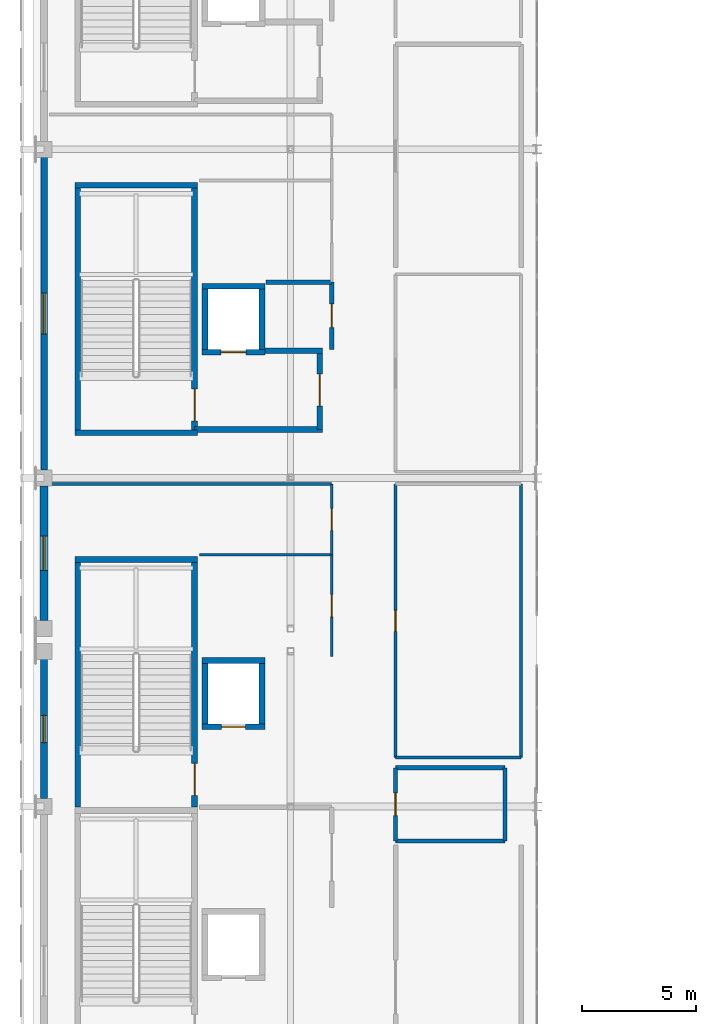
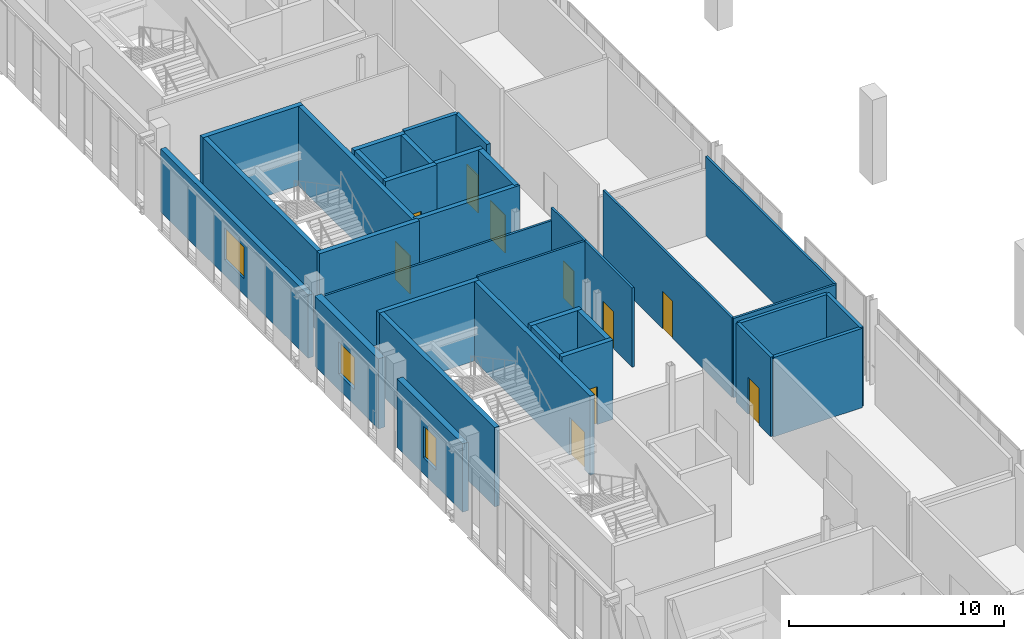
# One storey, part 33 of 51: 34 walls, 10 doors, 3 windows, 13 openings.
"""IFC4 building model written with IfcOpenShell, lengths in metres."""

from ifc_helpers import new_model, si_unit, direction, frame, frame_2d, origin, place, context, subcontext, project, spatial, rectangle, extrude, material, layer, layer_set, type_object, element, fill, save


model = new_model("IFC4")

# Units and contexts
model_context = context("Model", 3, precision=1e-05, world=origin(), true_north=direction((0.0, 1.0)))
body_context = subcontext(model_context, "Body", "Model", "MODEL_VIEW")
ifc_project = project(units=[si_unit("LENGTHUNIT", "METRE"), si_unit("AREAUNIT", "SQUARE_METRE"), si_unit("VOLUMEUNIT", "CUBIC_METRE"), si_unit("PLANEANGLEUNIT", "RADIAN"), si_unit("MASSUNIT", "GRAM", prefix="KILO")], contexts=[model_context])

# Site, building, storey
site_placement = place(None, origin())
site = spatial("IfcSite", under=ifc_project, at=site_placement, CompositionType="ELEMENT")
building_placement = place(site_placement, origin())
building = spatial("IfcBuilding", under=site, at=building_placement, Name="Koshinbarg Plaza Stadium", CompositionType="ELEMENT")
storey_placement = place(building_placement, frame((0.0, 0.0, 24.60009765625)))
storey = spatial("IfcBuildingStorey", under=building, at=storey_placement, Name="L05", CompositionType="ELEMENT", Elevation=24.60009765625)

# Walls
ifc_material_1 = material(Name="Concrete C40/50", Category="concrete")
ifc_layer_1 = layer(ifc_material_1, 0.25)
ifc_layer_set_1 = layer_set([ifc_layer_1], Name="Concrete C40/50")
wall_type_1 = type_object("IfcWallType", Name="WL-CORE-250", PredefinedType="SHEAR", material=ifc_layer_set_1)
wall_1_placement = place(storey_placement, frame((31.320068359375, 79.52490234375, 0.0), z_axis=(0.0, 0.0, 1.0), x_axis=(-1.0, 0.0, 0.0)))
element("IfcWall", 1, at=wall_1_placement, inside=storey, type_object=wall_type_1, Name="L05 core stair shear wall C04-far IWL-L05-0100", PredefinedType="SHEAR", context=body_context, shape_type="SweptSolid", body=[
    extrude(rectangle(XDim=5.3701171875, YDim=0.25, at=frame_2d((2.68505859375, 0.0))), origin(), (0.0, 0.0, 1.0), 4.5),
])
wall_2_placement = place(storey_placement, frame((26.074951171875, 68.675048828125, 0.0), z_axis=(0.0, 0.0, 1.0), x_axis=(0.0, 1.0, 0.0)))
element("IfcWall", 2, at=wall_2_placement, inside=storey, type_object=wall_type_1, Name="L05 core stair shear wall C04-left IWL-L05-0101", PredefinedType="SHEAR", context=body_context, shape_type="SweptSolid", body=[
    extrude(rectangle(XDim=10.849853515625, YDim=0.25, at=frame_2d((5.4248046875, 0.0))), origin(), (0.0, 0.0, 1.0), 4.5),
])

# Wall, opening, door
wall_3_placement = place(storey_placement, frame((31.195068359375, 68.675048828125, 0.0), z_axis=(0.0, 0.0, 1.0), x_axis=(0.0, 1.0, 0.0)))
wall_3 = element("IfcWall", 3, at=wall_3_placement, inside=storey, type_object=wall_type_1, Name="L05 core stair shear wall C04-right IWL-L05-0102", PredefinedType="SHEAR", context=body_context, shape_type="SweptSolid", body=[
    extrude(rectangle(XDim=10.849853515625, YDim=0.25, at=frame_2d((5.4248046875, 0.0))), origin(), (0.0, 0.0, 1.0), 4.5),
])
opening_1_placement = place(wall_3_placement, frame((0.52001953125, 0.0, 0.0)))
opening_1 = element("IfcOpeningElement", 4, at=opening_1_placement, cuts=wall_3, Name="Opening D-0087", PredefinedType="OPENING", context=body_context, shape_type="SweptSolid", body=[
    extrude(rectangle(XDim=1.39990234375, YDim=2.14990234375, at=frame_2d((0.699951171875, 1.074951171875))), frame((0.0, 0.135009765625, 0.0), z_axis=(0.0, -1.0, 0.0), x_axis=(1.0, 0.0, 0.0)), (0.0, 0.0, 1.0), 0.27001953125),
])
ifc_material_2 = material(Name="Painted galvanized steel fire door", Category="steel")
door_type_1 = type_object("IfcDoorType", Name="DR-STAIR-1400", OperationType="NOTDEFINED", PredefinedType="DOOR", material=ifc_material_2)
door_1_placement = place(opening_1_placement, origin())
door_1 = element("IfcDoor", 5, at=door_1_placement, inside=storey, type_object=door_type_1, Name="L05 exit stair door C04", OperationType="SINGLE_SWING_RIGHT", OverallHeight=2.14990234375, OverallWidth=1.39990234375, PredefinedType="DOOR", context=body_context, shape_type="SweptSolid", body=[
    extrude(rectangle(XDim=1.39990234375, YDim=2.14990234375, at=frame_2d((0.699951171875, 1.074951171875))), frame((0.0, 0.02490234375, 0.0), z_axis=(0.0, -1.0, 0.0), x_axis=(1.0, 0.0, 0.0)), (0.0, 0.0, 1.0), 0.050048828125),
])
fill(opening_1, door_1)

# Walls
for number, where, z_axis, x_axis, name in (
    (6, (25.949951171875, 85.074951171875, 0.0), (0.0, 0.0, 1.0), (1.0, 0.0, 0.0), "L05 core stair shear wall C05-near IWL-L05-0126"),
    (7, (31.320068359375, 95.925048828125, 0.0), (0.0, 0.0, 1.0), (-1.0, 0.0, 0.0), "L05 core stair shear wall C05-far IWL-L05-0127"),
):
    element("IfcWall", number, at=place(storey_placement, frame(where, z_axis=z_axis, x_axis=x_axis)), inside=storey, type_object=wall_type_1, Name=name, PredefinedType="SHEAR", context=body_context, shape_type="SweptSolid", body=[
        extrude(rectangle(XDim=5.3701171875, YDim=0.25, at=frame_2d((2.68505859375, 0.0))), origin(), (0.0, 0.0, 1.0), 4.5),
    ])
wall_4_placement = place(storey_placement, frame((26.074951171875, 85.074951171875, 0.0), z_axis=(0.0, 0.0, 1.0), x_axis=(0.0, 1.0, 0.0)))
element("IfcWall", 8, at=wall_4_placement, inside=storey, type_object=wall_type_1, Name="L05 core stair shear wall C05-left IWL-L05-0128", PredefinedType="SHEAR", context=body_context, shape_type="SweptSolid", body=[
    extrude(rectangle(XDim=10.85009765625, YDim=0.25, at=frame_2d((5.425048828125, 0.0))), origin(), (0.0, 0.0, 1.0), 4.5),
])

# Wall, opening, door
wall_5_placement = place(storey_placement, frame((31.195068359375, 85.074951171875, 0.0), z_axis=(0.0, 0.0, 1.0), x_axis=(0.0, 1.0, 0.0)))
wall_5 = element("IfcWall", 9, at=wall_5_placement, inside=storey, type_object=wall_type_1, Name="L05 core stair shear wall C05-right IWL-L05-0129", PredefinedType="SHEAR", context=body_context, shape_type="SweptSolid", body=[
    extrude(rectangle(XDim=10.85009765625, YDim=0.25, at=frame_2d((5.425048828125, 0.0))), origin(), (0.0, 0.0, 1.0), 4.5),
])
opening_2_placement = place(wall_5_placement, frame((0.52001953125, 0.0, 0.0)))
opening_2 = element("IfcOpeningElement", 10, at=opening_2_placement, cuts=wall_5, Name="Opening D-0094", PredefinedType="OPENING", context=body_context, shape_type="SweptSolid", body=[
    extrude(rectangle(XDim=1.39990234375, YDim=2.14990234375, at=frame_2d((0.699951171875, 1.074951171875))), frame((0.0, 0.135009765625, 0.0), z_axis=(0.0, -1.0, 0.0), x_axis=(1.0, 0.0, 0.0)), (0.0, 0.0, 1.0), 0.27001953125),
])
door_2_placement = place(opening_2_placement, origin())
door_2 = element("IfcDoor", 11, at=door_2_placement, inside=storey, type_object=door_type_1, Name="L05 exit stair door C05", OperationType="SINGLE_SWING_RIGHT", OverallHeight=2.14990234375, OverallWidth=1.39990234375, PredefinedType="DOOR", context=body_context, shape_type="SweptSolid", body=[
    extrude(rectangle(XDim=1.39990234375, YDim=2.14990234375, at=frame_2d((0.699951171875, 1.074951171875))), frame((0.0, 0.02490234375, 0.0), z_axis=(0.0, -1.0, 0.0), x_axis=(1.0, 0.0, 0.0)), (0.0, 0.0, 1.0), 0.050048828125),
])
fill(opening_2, door_2)

wall_6_placement = place(storey_placement, frame((31.52490234375, 72.199951171875, 0.0), z_axis=(0.0, 0.0, 1.0), x_axis=(1.0, 0.0, 0.0)))
wall_6 = element("IfcWall", 12, at=wall_6_placement, inside=storey, type_object=wall_type_1, Name="L05 lift shaft shear wall LP02-S IWL-L05-0756", PredefinedType="SHEAR", context=body_context, shape_type="SweptSolid", body=[
    extrude(rectangle(XDim=2.75, YDim=0.25, at=frame_2d((1.375, 0.0))), origin(), (0.0, 0.0, 1.0), 4.5),
])
opening_3_placement = place(wall_6_placement, frame((0.85009765625, 0.0, 0.0)))
opening_3 = element("IfcOpeningElement", 13, at=opening_3_placement, cuts=wall_6, Name="Opening D-0255", PredefinedType="OPENING", context=body_context, shape_type="SweptSolid", body=[
    extrude(rectangle(XDim=1.050048828125, YDim=2.14990234375, at=frame_2d((0.52490234375, 1.074951171875))), frame((0.0, 0.135009765625, 0.0), z_axis=(0.0, -1.0, 0.0), x_axis=(1.0, 0.0, 0.0)), (0.0, 0.0, 1.0), 0.27001953125),
])
ifc_material_3 = material(Name="Brushed stainless steel sliding lift landing door", Category="steel")
door_type_2 = type_object("IfcDoorType", Name="DR-LIFT-1050", OperationType="NOTDEFINED", PredefinedType="DOOR", material=ifc_material_3)
door_3_placement = place(opening_3_placement, origin())
door_3 = element("IfcDoor", 14, at=door_3_placement, inside=storey, type_object=door_type_2, Name="L05 lift landing door LP02", OperationType="SLIDING_TO_LEFT", OverallHeight=2.14990234375, OverallWidth=1.050048828125, PredefinedType="DOOR", context=body_context, shape_type="SweptSolid", body=[
    extrude(rectangle(XDim=1.050048828125, YDim=2.14990234375, at=frame_2d((0.52490234375, 1.074951171875))), frame((0.0, 0.02490234375, 0.0), z_axis=(0.0, -1.0, 0.0), x_axis=(1.0, 0.0, 0.0)), (0.0, 0.0, 1.0), 0.050048828125),
])
fill(opening_3, door_3)

# Walls
wall_7_placement = place(storey_placement, frame((34.27490234375, 75.10009765625, 0.0), z_axis=(0.0, 0.0, 1.0), x_axis=(-1.0, 0.0, 0.0)))
element("IfcWall", 15, at=wall_7_placement, inside=storey, type_object=wall_type_1, Name="L05 lift shaft shear wall LP02-N IWL-L05-0757", PredefinedType="SHEAR", context=body_context, shape_type="SweptSolid", body=[
    extrude(rectangle(XDim=2.75, YDim=0.25, at=frame_2d((1.375, 0.0))), origin(), (0.0, 0.0, 1.0), 4.5),
])
for number, where, z_axis, x_axis, name in (
    (16, (31.64990234375, 75.10009765625, 0.0), (0.0, 0.0, 1.0), (0.0, -1.0, 0.0), "L05 lift shaft shear wall LP02-W IWL-L05-0758"),
    (17, (34.14990234375, 72.199951171875, 0.0), (0.0, 0.0, 1.0), (0.0, 1.0, 0.0), "L05 lift shaft shear wall LP02-E IWL-L05-0759"),
):
    element("IfcWall", number, at=place(storey_placement, frame(where, z_axis=z_axis, x_axis=x_axis)), inside=storey, type_object=wall_type_1, Name=name, PredefinedType="SHEAR", context=body_context, shape_type="SweptSolid", body=[
        extrude(rectangle(XDim=2.900146484375, YDim=0.25, at=frame_2d((1.4501953125, 0.0))), origin(), (0.0, 0.0, 1.0), 4.5),
    ])

# Wall, opening, door
wall_8_placement = place(storey_placement, frame((31.52490234375, 88.60009765625, 0.0), z_axis=(0.0, 0.0, 1.0), x_axis=(1.0, 0.0, 0.0)))
wall_8 = element("IfcWall", 18, at=wall_8_placement, inside=storey, type_object=wall_type_1, Name="L05 lift shaft shear wall FL03-S IWL-L05-0799", PredefinedType="SHEAR", context=body_context, shape_type="SweptSolid", body=[
    extrude(rectangle(XDim=2.75, YDim=0.25, at=frame_2d((1.375, 0.0))), origin(), (0.0, 0.0, 1.0), 4.5),
])
opening_4_placement = place(wall_8_placement, frame((0.824951171875, 0.0, 0.0)))
opening_4 = element("IfcOpeningElement", 19, at=opening_4_placement, cuts=wall_8, Name="Opening D-0267", PredefinedType="OPENING", context=body_context, shape_type="SweptSolid", body=[
    extrude(rectangle(XDim=1.10009765625, YDim=2.14990234375, at=frame_2d((0.550048828125, 1.074951171875))), frame((0.0, 0.135009765625, 0.0), z_axis=(0.0, -1.0, 0.0), x_axis=(1.0, 0.0, 0.0)), (0.0, 0.0, 1.0), 0.27001953125),
])
door_type_3 = type_object("IfcDoorType", Name="DR-LIFT-1100", OperationType="NOTDEFINED", PredefinedType="DOOR", material=ifc_material_3)
door_4_placement = place(opening_4_placement, origin())
door_4 = element("IfcDoor", 20, at=door_4_placement, inside=storey, type_object=door_type_3, Name="L05 lift landing door FL03", OperationType="SLIDING_TO_RIGHT", OverallHeight=2.14990234375, OverallWidth=1.10009765625, PredefinedType="DOOR", context=body_context, shape_type="SweptSolid", body=[
    extrude(rectangle(XDim=1.10009765625, YDim=2.14990234375, at=frame_2d((0.550048828125, 1.074951171875))), frame((0.0, 0.02490234375, 0.0), z_axis=(0.0, -1.0, 0.0), x_axis=(1.0, 0.0, 0.0)), (0.0, 0.0, 1.0), 0.050048828125),
])
fill(opening_4, door_4)

# Walls
wall_9_placement = place(storey_placement, frame((34.27490234375, 91.5, 0.0), z_axis=(0.0, 0.0, 1.0), x_axis=(-1.0, 0.0, 0.0)))
element("IfcWall", 21, at=wall_9_placement, inside=storey, type_object=wall_type_1, Name="L05 lift shaft shear wall FL03-N IWL-L05-0800", PredefinedType="SHEAR", context=body_context, shape_type="SweptSolid", body=[
    extrude(rectangle(XDim=2.75, YDim=0.25, at=frame_2d((1.375, 0.0))), origin(), (0.0, 0.0, 1.0), 4.5),
])
for number, where, z_axis, x_axis, name in (
    (22, (31.64990234375, 91.5, 0.0), (0.0, 0.0, 1.0), (0.0, -1.0, 0.0), "L05 lift shaft shear wall FL03-W IWL-L05-0801"),
    (23, (34.14990234375, 88.60009765625, 0.0), (0.0, 0.0, 1.0), (0.0, 1.0, 0.0), "L05 lift shaft shear wall FL03-E IWL-L05-0802"),
):
    element("IfcWall", number, at=place(storey_placement, frame(where, z_axis=z_axis, x_axis=x_axis)), inside=storey, type_object=wall_type_1, Name=name, PredefinedType="SHEAR", context=body_context, shape_type="SweptSolid", body=[
        extrude(rectangle(XDim=2.89990234375, YDim=0.25, at=frame_2d((1.449951171875, 0.0))), origin(), (0.0, 0.0, 1.0), 4.5),
    ])

# Wall, opening, door
wall_10_placement = place(storey_placement, frame((36.675048828125, 85.22509765625, 0.0), z_axis=(0.0, 0.0, 1.0), x_axis=(0.0, 1.0, 0.0)))
wall_10 = element("IfcWall", 24, at=wall_10_placement, inside=storey, type_object=wall_type_1, Name="L05 firefighting lobby wall C05-E IWL-L05-0803", PredefinedType="SHEAR", context=body_context, shape_type="SweptSolid", body=[
    extrude(rectangle(XDim=3.449951171875, YDim=0.25, at=frame_2d((1.72509765625, 0.0))), origin(), (0.0, 0.0, 1.0), 4.5),
])
opening_5_placement = place(wall_10_placement, frame((1.02490234375, 0.0, 0.0)))
opening_5 = element("IfcOpeningElement", 25, at=opening_5_placement, cuts=wall_10, Name="Opening D-0268", PredefinedType="OPENING", context=body_context, shape_type="SweptSolid", body=[
    extrude(rectangle(XDim=1.39990234375, YDim=2.14990234375, at=frame_2d((0.699951171875, 1.074951171875))), frame((0.0, 0.135009765625, 0.0), z_axis=(0.0, -1.0, 0.0), x_axis=(1.0, 0.0, 0.0)), (0.0, 0.0, 1.0), 0.27001953125),
])
ifc_material_4 = material(Name="Smoke-sealed steel firefighting lobby door", Category="steel")
door_type_4 = type_object("IfcDoorType", Name="DR-FFLOB-1400", OperationType="NOTDEFINED", PredefinedType="DOOR", material=ifc_material_4)
door_5_placement = place(opening_5_placement, origin())
door_5 = element("IfcDoor", 26, at=door_5_placement, inside=storey, type_object=door_type_4, Name="L05 firefighting lobby fire door C05", OperationType="DOUBLE_DOOR_SINGLE_SWING", OverallHeight=2.14990234375, OverallWidth=1.39990234375, PredefinedType="DOOR", context=body_context, shape_type="SweptSolid", body=[
    extrude(rectangle(XDim=1.39990234375, YDim=2.14990234375, at=frame_2d((0.699951171875, 1.074951171875))), frame((0.0, 0.02490234375, 0.0), z_axis=(0.0, -1.0, 0.0), x_axis=(1.0, 0.0, 0.0)), (0.0, 0.0, 1.0), 0.050048828125),
])
fill(opening_5, door_5)

# Walls
wall_11_placement = place(storey_placement, frame((34.27490234375, 88.675048828125, 0.0), z_axis=(0.0, 0.0, 1.0), x_axis=(1.0, 0.0, 0.0)))
element("IfcWall", 27, at=wall_11_placement, inside=storey, type_object=wall_type_1, Name="L05 firefighting lobby wall C05-NE IWL-L05-0804", PredefinedType="SHEAR", context=body_context, shape_type="SweptSolid", body=[
    extrude(rectangle(XDim=2.525146484375, YDim=0.25, at=frame_2d((1.2626953125, 0.0))), origin(), (0.0, 0.0, 1.0), 4.5),
])
wall_12_placement = place(storey_placement, frame((31.199951171875, 85.22509765625, 0.0), z_axis=(0.0, 0.0, 1.0), x_axis=(1.0, 0.0, 0.0)))
element("IfcWall", 28, at=wall_12_placement, inside=storey, type_object=wall_type_1, Name="L05 firefighting lobby wall C05-S IWL-L05-0805", PredefinedType="SHEAR", context=body_context, shape_type="SweptSolid", body=[
    extrude(rectangle(XDim=5.60009765625, YDim=0.25, at=frame_2d((2.800048828125, 0.0))), origin(), (0.0, 0.0, 1.0), 4.5),
])

# Wall, opening, window
ifc_material_5 = material(Name="Terracotta-ochre mineral plaster insulated wall", Category="masonry")
ifc_layer_2 = layer(ifc_material_5, 0.280029296875)
ifc_layer_set_2 = layer_set([ifc_layer_2], Name="Terracotta-ochre mineral plaster insulated wall")
wall_type_2 = type_object("IfcWallType", Name="WL-EXT-280", PredefinedType="SOLIDWALL", material=ifc_layer_set_2)
wall_13_placement = place(storey_placement, frame((24.60009765625, 83.445068359375, 0.0), z_axis=(0.0, 0.0, 1.0), x_axis=(0.0, 1.0, 0.0)))
wall_13 = element("IfcWall", 29, at=wall_13_placement, inside=storey, type_object=wall_type_2, Name="L05 exterior envelope wall EWL-L05-0228", PredefinedType="SOLIDWALL", context=body_context, shape_type="SweptSolid", body=[
    extrude(rectangle(XDim=13.7099609375, YDim=0.280029296875, at=frame_2d((6.85498046875, 0.0))), origin(), (0.0, 0.0, 1.0), 3.579833984375),
])
opening_6_placement = place(wall_13_placement, frame((5.955078125, 0.0, 0.89990234375)))
opening_6 = element("IfcOpeningElement", 30, at=opening_6_placement, cuts=wall_13, Name="Opening WN09", PredefinedType="OPENING", context=body_context, shape_type="SweptSolid", body=[
    extrude(rectangle(XDim=1.800048828125, YDim=1.800048828125, at=frame_2d((0.89990234375, 0.89990234375))), frame((0.0, 0.14990234375, 0.0), z_axis=(0.0, -1.0, 0.0), x_axis=(1.0, 0.0, 0.0)), (0.0, 0.0, 1.0), 0.300048828125),
])
ifc_material_6 = material(Name="Solar-control double glazing in thermally broken aluminium frame", Category="aluminium")
window_type_1 = type_object("IfcWindowType", Name="WN-FAC-09", PartitioningType="DOUBLE_PANEL_VERTICAL", PredefinedType="WINDOW", material=ifc_material_6)
window_1_placement = place(opening_6_placement, origin())
window_1 = element("IfcWindow", 31, at=window_1_placement, inside=storey, type_object=window_type_1, Name="L05 facade window 0160", OverallHeight=1.800048828125, OverallWidth=1.800048828125, PartitioningType="SINGLE_PANEL", PredefinedType="WINDOW", context=body_context, shape_type="SweptSolid", body=[
    extrude(rectangle(XDim=1.800048828125, YDim=1.800048828125, at=frame_2d((0.89990234375, 0.89990234375))), frame((0.0, 0.030029296875, 0.0), z_axis=(0.0, -1.0, 0.0), x_axis=(1.0, 0.0, 0.0)), (0.0, 0.0, 1.0), 0.06005859375),
])
fill(opening_6, window_1)

ifc_material_7 = material(Name="Ultramarine-blue pigmented mineral plaster facade wall", Category="masonry")
ifc_layer_3 = layer(ifc_material_7, 0.320068359375)
ifc_layer_set_3 = layer_set([ifc_layer_3], Name="Ultramarine-blue pigmented mineral plaster facade wall")
wall_type_3 = type_object("IfcWallType", Name="WL-EXT-320", PredefinedType="SOLIDWALL", material=ifc_layer_set_3)
wall_14_placement = place(storey_placement, frame((24.60009765625, 69.044921875, 0.0), z_axis=(0.0, 0.0, 1.0), x_axis=(0.0, 1.0, 0.0)))
wall_14 = element("IfcWall", 32, at=wall_14_placement, inside=storey, type_object=wall_type_3, Name="L05 exterior envelope wall EWL-L05-0226", PredefinedType="SOLIDWALL", context=body_context, shape_type="SweptSolid", body=[
    extrude(rectangle(XDim=6.110107421875, YDim=0.320068359375, at=frame_2d((3.05517578125, 0.0))), origin(), (0.0, 0.0, 1.0), 3.8798828125),
])
opening_7_placement = place(wall_14_placement, frame((2.455078125, 0.0, 0.89990234375)))
opening_7 = element("IfcOpeningElement", 33, at=opening_7_placement, cuts=wall_14, Name="Opening WN07", PredefinedType="OPENING", context=body_context, shape_type="SweptSolid", body=[
    extrude(rectangle(XDim=1.199951171875, YDim=1.800048828125, at=frame_2d((0.60009765625, 0.89990234375))), frame((0.0, 0.169921875, 0.0), z_axis=(0.0, -1.0, 0.0), x_axis=(1.0, 0.0, 0.0)), (0.0, 0.0, 1.0), 0.340087890625),
])
window_type_2 = type_object("IfcWindowType", Name="WN-FAC-07", PartitioningType="DOUBLE_PANEL_VERTICAL", PredefinedType="WINDOW", material=ifc_material_6)
window_2_placement = place(opening_7_placement, origin())
window_2 = element("IfcWindow", 34, at=window_2_placement, inside=storey, type_object=window_type_2, Name="L05 facade window 0158", OverallHeight=1.800048828125, OverallWidth=1.199951171875, PartitioningType="SINGLE_PANEL", PredefinedType="WINDOW", context=body_context, shape_type="SweptSolid", body=[
    extrude(rectangle(XDim=1.199951171875, YDim=1.800048828125, at=frame_2d((0.60009765625, 0.89990234375))), frame((0.0, 0.030029296875, 0.0), z_axis=(0.0, -1.0, 0.0), x_axis=(1.0, 0.0, 0.0)), (0.0, 0.0, 1.0), 0.06005859375),
])
fill(opening_7, window_2)

ifc_material_8 = material(Name="Acoustic insulated masonry stadium wall", Category="masonry")
ifc_layer_4 = layer(ifc_material_8, 0.35009765625)
ifc_layer_set_4 = layer_set([ifc_layer_4], Name="Acoustic insulated masonry stadium wall")
wall_type_4 = type_object("IfcWallType", Name="WL-EXT-350", PredefinedType="SOLIDWALL", material=ifc_layer_set_4)
wall_15_placement = place(storey_placement, frame((24.60009765625, 76.844970703125, 0.0), z_axis=(0.0, 0.0, 1.0), x_axis=(0.0, 1.0, 0.0)))
wall_15 = element("IfcWall", 35, at=wall_15_placement, inside=storey, type_object=wall_type_4, Name="L05 exterior envelope wall EWL-L05-0227", PredefinedType="SOLIDWALL", context=body_context, shape_type="SweptSolid", body=[
    extrude(rectangle(XDim=5.909912109375, YDim=0.35009765625, at=frame_2d((2.955078125, 0.0))), origin(), (0.0, 0.0, 1.0), 3.97998046875),
])
opening_8_placement = place(wall_15_placement, frame((2.205078125, 0.0, 0.89990234375)))
opening_8 = element("IfcOpeningElement", 36, at=opening_8_placement, cuts=wall_15, Name="Opening WN08", PredefinedType="OPENING", context=body_context, shape_type="SweptSolid", body=[
    extrude(rectangle(XDim=1.5, YDim=1.800048828125, at=frame_2d((0.75, 0.89990234375))), frame((0.0, 0.18505859375, 0.0), z_axis=(0.0, -1.0, 0.0), x_axis=(1.0, 0.0, 0.0)), (0.0, 0.0, 1.0), 0.3701171875),
])
window_type_3 = type_object("IfcWindowType", Name="WN-FAC-08", PartitioningType="DOUBLE_PANEL_VERTICAL", PredefinedType="WINDOW", material=ifc_material_6)
window_3_placement = place(opening_8_placement, origin())
window_3 = element("IfcWindow", 37, at=window_3_placement, inside=storey, type_object=window_type_3, Name="L05 facade window 0159", OverallHeight=1.800048828125, OverallWidth=1.5, PartitioningType="SINGLE_PANEL", PredefinedType="WINDOW", context=body_context, shape_type="SweptSolid", body=[
    extrude(rectangle(XDim=1.5, YDim=1.800048828125, at=frame_2d((0.75, 0.89990234375))), frame((0.0, 0.030029296875, 0.0), z_axis=(0.0, -1.0, 0.0), x_axis=(1.0, 0.0, 0.0)), (0.0, 0.0, 1.0), 0.06005859375),
])
fill(opening_8, window_3)

# Wall, opening, door
ifc_material_9 = material(Name="Gypsum board metal-stud acoustic partition")
ifc_layer_5 = layer(ifc_material_9, 0.1201171875)
ifc_layer_set_5 = layer_set([ifc_layer_5], Name="Gypsum board metal-stud acoustic partition")
wall_type_5 = type_object("IfcWallType", Name="WL-PART-120", PredefinedType="PARTITIONING", material=ifc_layer_set_5)
wall_16_placement = place(storey_placement, frame((37.199951171875, 79.72998046875, 0.0), z_axis=(0.0, 0.0, 1.0), x_axis=(0.0, 1.0, 0.0)))
wall_16 = element("IfcWall", 38, at=wall_16_placement, inside=storey, type_object=wall_type_5, Name="L05 interior partition L05-43-east IWL-L05-2283", PredefinedType="PARTITIONING", context=body_context, shape_type="SweptSolid", body=[
    extrude(rectangle(XDim=3.10009765625, YDim=0.1201171875, at=frame_2d((1.550048828125, 0.0))), origin(), (0.0, 0.0, 1.0), 4.5),
])
opening_9_placement = place(wall_16_placement, frame((1.070068359375, 0.0, 0.0)))
opening_9 = element("IfcOpeningElement", 39, at=opening_9_placement, cuts=wall_16, Name="Opening D-0790", PredefinedType="OPENING", context=body_context, shape_type="SweptSolid", body=[
    extrude(rectangle(XDim=0.9599609375, YDim=2.10009765625, at=frame_2d((0.47998046875, 1.050048828125))), frame((0.0, 0.070068359375, 0.0), z_axis=(0.0, -1.0, 0.0), x_axis=(1.0, 0.0, 0.0)), (0.0, 0.0, 1.0), 0.14013671875),
])
ifc_material_10 = material(Name="Solid-core oak veneer acoustic door")
door_type_5 = type_object("IfcDoorType", Name="DR-INT-0960x2100", OperationType="NOTDEFINED", PredefinedType="DOOR", material=ifc_material_10)
door_6_placement = place(opening_9_placement, origin())
door_6 = element("IfcDoor", 40, at=door_6_placement, inside=storey, type_object=door_type_5, Name="L05 Hospitality Pantry Kitchen door D-0790", OperationType="SINGLE_SWING_RIGHT", OverallHeight=2.10009765625, OverallWidth=0.9599609375, PredefinedType="DOOR", context=body_context, shape_type="SweptSolid", body=[
    extrude(rectangle(XDim=0.9599609375, YDim=2.10009765625, at=frame_2d((0.47998046875, 1.050048828125))), frame((0.0, 0.02490234375, 0.0), z_axis=(0.0, -1.0, 0.0), x_axis=(1.0, 0.0, 0.0)), (0.0, 0.0, 1.0), 0.050048828125),
])
fill(opening_9, door_6)

# Wall
wall_17_placement = place(storey_placement, frame((37.199951171875, 82.830078125, 0.0), z_axis=(0.0, 0.0, 1.0), x_axis=(-1.0, 0.0, 0.0)))
element("IfcWall", 41, at=wall_17_placement, inside=storey, type_object=wall_type_5, Name="L05 interior partition L05-43-north IWL-L05-2284", PredefinedType="PARTITIONING", context=body_context, shape_type="SweptSolid", body=[
    extrude(rectangle(XDim=12.35498046875, YDim=0.1201171875, at=frame_2d((6.177490234375, 0.0))), origin(), (0.0, 0.0, 1.0), 3.77978515625),
])

# Wall, opening, door
wall_18_placement = place(storey_placement, frame((37.199951171875, 75.280029296875, 0.0), z_axis=(0.0, 0.0, 1.0), x_axis=(0.0, 1.0, 0.0)))
wall_18 = element("IfcWall", 42, at=wall_18_placement, inside=storey, type_object=wall_type_5, Name="L05 interior partition L05-44-east IWL-L05-2285", PredefinedType="PARTITIONING", context=body_context, shape_type="SweptSolid", body=[
    extrude(rectangle(XDim=4.449951171875, YDim=0.1201171875, at=frame_2d((2.22509765625, 0.0))), origin(), (0.0, 0.0, 1.0), 4.5),
])
opening_10_placement = place(wall_18_placement, frame((1.7451171875, 0.0, 0.0)))
opening_10 = element("IfcOpeningElement", 43, at=opening_10_placement, cuts=wall_18, Name="Opening D-0791", PredefinedType="OPENING", context=body_context, shape_type="SweptSolid", body=[
    extrude(rectangle(XDim=0.9599609375, YDim=2.10009765625, at=frame_2d((0.47998046875, 1.050048828125))), frame((0.0, 0.070068359375, 0.0), z_axis=(0.0, -1.0, 0.0), x_axis=(1.0, 0.0, 0.0)), (0.0, 0.0, 1.0), 0.14013671875),
])
door_7_placement = place(opening_10_placement, origin())
door_7 = element("IfcDoor", 44, at=door_7_placement, inside=storey, type_object=door_type_5, Name="L05 Belvedere Dining Hall door D-0791", OperationType="SINGLE_SWING_LEFT", OverallHeight=2.10009765625, OverallWidth=0.9599609375, PredefinedType="DOOR", context=body_context, shape_type="SweptSolid", body=[
    extrude(rectangle(XDim=0.9599609375, YDim=2.10009765625, at=frame_2d((0.47998046875, 1.050048828125))), frame((0.0, 0.02490234375, 0.0), z_axis=(0.0, -1.0, 0.0), x_axis=(1.0, 0.0, 0.0)), (0.0, 0.0, 1.0), 0.050048828125),
])
fill(opening_10, door_7)

# Walls
wall_19_placement = place(storey_placement, frame((37.199951171875, 79.72998046875, 0.0), z_axis=(0.0, 0.0, 1.0), x_axis=(-1.0, 0.0, 0.0)))
element("IfcWall", 45, at=wall_19_placement, inside=storey, type_object=wall_type_5, Name="L05 interior partition L05-44-north IWL-L05-2286", PredefinedType="PARTITIONING", context=body_context, shape_type="SweptSolid", body=[
    extrude(rectangle(XDim=5.800048828125, YDim=0.1201171875, at=frame_2d((2.89990234375, 0.0))), origin(), (0.0, 0.0, 1.0), 4.5),
])
wall_20_placement = place(storey_placement, frame((40.0, 70.84912109375, 0.0), z_axis=(0.0, 0.0, 1.0), x_axis=(1.0, 0.0, 0.0)))
element("IfcWall", 46, at=wall_20_placement, inside=storey, type_object=wall_type_5, Name="L05 interior partition L05-46-south IWL-L05-2290", PredefinedType="PARTITIONING", context=body_context, shape_type="SweptSolid", body=[
    extrude(rectangle(XDim=5.5, YDim=0.1201171875, at=frame_2d((2.75, 0.0))), origin(), (0.0, 0.0, 1.0), 4.5),
])
wall_21_placement = place(storey_placement, frame((45.5, 70.84912109375, 0.0), z_axis=(0.0, 0.0, 1.0), x_axis=(0.0, 1.0, 0.0)))
element("IfcWall", 47, at=wall_21_placement, inside=storey, type_object=wall_type_5, Name="L05 interior partition L05-46-east IWL-L05-2291", PredefinedType="PARTITIONING", context=body_context, shape_type="SweptSolid", body=[
    extrude(rectangle(XDim=11.98095703125, YDim=0.1201171875, at=frame_2d((5.990478515625, 0.0))), origin(), (0.0, 0.0, 1.0), 4.5),
])

# Wall, opening, door
wall_22_placement = place(storey_placement, frame((40.0, 82.830078125, 0.0), z_axis=(0.0, 0.0, 1.0), x_axis=(0.0, -1.0, 0.0)))
wall_22 = element("IfcWall", 48, at=wall_22_placement, inside=storey, type_object=wall_type_5, Name="L05 interior partition L05-46-west IWL-L05-2293", PredefinedType="PARTITIONING", context=body_context, shape_type="SweptSolid", body=[
    extrude(rectangle(XDim=11.98095703125, YDim=0.1201171875, at=frame_2d((5.990478515625, 0.0))), origin(), (0.0, 0.0, 1.0), 4.5),
])
opening_11_placement = place(wall_22_placement, frame((5.530517578125, 0.0, 0.0)))
opening_11 = element("IfcOpeningElement", 49, at=opening_11_placement, cuts=wall_22, Name="Opening D-0793", PredefinedType="OPENING", context=body_context, shape_type="SweptSolid", body=[
    extrude(rectangle(XDim=0.919921875, YDim=2.10009765625, at=frame_2d((0.4599609375, 1.050048828125))), frame((0.0, 0.070068359375, 0.0), z_axis=(0.0, -1.0, 0.0), x_axis=(1.0, 0.0, 0.0)), (0.0, 0.0, 1.0), 0.14013671875),
])
door_type_6 = type_object("IfcDoorType", Name="DR-INT-0920x2100", OperationType="NOTDEFINED", PredefinedType="DOOR", material=ifc_material_10)
door_8_placement = place(opening_11_placement, origin())
door_8 = element("IfcDoor", 50, at=door_8_placement, inside=storey, type_object=door_type_6, Name="L05 Hospitality Pantry Kitchen door D-0793", OperationType="SINGLE_SWING_LEFT", OverallHeight=2.10009765625, OverallWidth=0.919921875, PredefinedType="DOOR", context=body_context, shape_type="SweptSolid", body=[
    extrude(rectangle(XDim=0.919921875, YDim=2.10009765625, at=frame_2d((0.4599609375, 1.050048828125))), frame((0.0, 0.02490234375, 0.0), z_axis=(0.0, -1.0, 0.0), x_axis=(1.0, 0.0, 0.0)), (0.0, 0.0, 1.0), 0.050048828125),
])
fill(opening_11, door_8)

# Walls
ifc_material_11 = material(Name="Moisture-resistant tiled sanitary partition")
ifc_layer_6 = layer(ifc_material_11, 0.179931640625)
ifc_layer_set_6 = layer_set([ifc_layer_6], Name="Moisture-resistant tiled sanitary partition")
wall_type_6 = type_object("IfcWallType", Name="WL-PART-180", PredefinedType="PARTITIONING", material=ifc_layer_set_6)
wall_23_placement = place(storey_placement, frame((40.0, 67.199951171875, 0.0), z_axis=(0.0, 0.0, 1.0), x_axis=(1.0, 0.0, 0.0)))
element("IfcWall", 51, at=wall_23_placement, inside=storey, type_object=wall_type_6, Name="L05 interior partition L05-28-south IWL-L05-2246", PredefinedType="PARTITIONING", context=body_context, shape_type="SweptSolid", body=[
    extrude(rectangle(XDim=4.800048828125, YDim=0.179931640625, at=frame_2d((2.39990234375, 0.0))), origin(), (0.0, 0.0, 1.0), 4.5),
])
wall_24_placement = place(storey_placement, frame((44.800048828125, 67.199951171875, 0.0), z_axis=(0.0, 0.0, 1.0), x_axis=(0.0, 1.0, 0.0)))
element("IfcWall", 52, at=wall_24_placement, inside=storey, type_object=wall_type_6, Name="L05 interior partition L05-28-east IWL-L05-2247", PredefinedType="PARTITIONING", context=body_context, shape_type="SweptSolid", body=[
    extrude(rectangle(XDim=3.199951171875, YDim=0.179931640625, at=frame_2d((1.60009765625, 0.0))), origin(), (0.0, 0.0, 1.0), 4.5),
])
wall_25_placement = place(storey_placement, frame((44.800048828125, 70.39990234375, 0.0), z_axis=(0.0, 0.0, 1.0), x_axis=(-1.0, 0.0, 0.0)))
element("IfcWall", 53, at=wall_25_placement, inside=storey, type_object=wall_type_6, Name="L05 interior partition L05-28-north IWL-L05-2248", PredefinedType="PARTITIONING", context=body_context, shape_type="SweptSolid", body=[
    extrude(rectangle(XDim=4.800048828125, YDim=0.179931640625, at=frame_2d((2.39990234375, 0.0))), origin(), (0.0, 0.0, 1.0), 4.5),
])

# Wall, opening, door
wall_26_placement = place(storey_placement, frame((40.0, 70.39990234375, 0.0), z_axis=(0.0, 0.0, 1.0), x_axis=(0.0, -1.0, 0.0)))
wall_26 = element("IfcWall", 54, at=wall_26_placement, inside=storey, type_object=wall_type_6, Name="L05 interior partition L05-28-west IWL-L05-2249", PredefinedType="PARTITIONING", context=body_context, shape_type="SweptSolid", body=[
    extrude(rectangle(XDim=3.199951171875, YDim=0.179931640625, at=frame_2d((1.60009765625, 0.0))), origin(), (0.0, 0.0, 1.0), 4.5),
])
opening_12_placement = place(wall_26_placement, frame((1.10009765625, 0.0, 0.0)))
opening_12 = element("IfcOpeningElement", 55, at=opening_12_placement, cuts=wall_26, Name="Opening D-0776", PredefinedType="OPENING", context=body_context, shape_type="SweptSolid", body=[
    extrude(rectangle(XDim=1.0, YDim=2.10009765625, at=frame_2d((0.5, 1.050048828125))), frame((0.0, 0.099853515625, 0.0), z_axis=(0.0, -1.0, 0.0), x_axis=(1.0, 0.0, 0.0)), (0.0, 0.0, 1.0), 0.199951171875),
])
ifc_material_12 = material(Name="Solid-core laminate accessible WC door")
door_type_7 = type_object("IfcDoorType", Name="DR-INT-1000x2100", OperationType="NOTDEFINED", PredefinedType="DOOR", material=ifc_material_12)
door_9_placement = place(opening_12_placement, origin())
door_9 = element("IfcDoor", 56, at=door_9_placement, inside=storey, type_object=door_type_7, Name="L05 Accessible WC 1 door D-0776", OperationType="SINGLE_SWING_RIGHT", OverallHeight=2.10009765625, OverallWidth=1.0, PredefinedType="DOOR", context=body_context, shape_type="SweptSolid", body=[
    extrude(rectangle(XDim=1.0, YDim=2.10009765625, at=frame_2d((0.5, 1.050048828125))), frame((0.0, 0.02490234375, 0.0), z_axis=(0.0, -1.0, 0.0), x_axis=(1.0, 0.0, 0.0)), (0.0, 0.0, 1.0), 0.050048828125),
])
fill(opening_12, door_9)

ifc_material_13 = material(Name="Autoclaved aerated blockwork fire partition", Category="masonry")
ifc_layer_7 = layer(ifc_material_13, 0.199951171875)
ifc_layer_set_7 = layer_set([ifc_layer_7], Name="Autoclaved aerated blockwork fire partition")
wall_type_7 = type_object("IfcWallType", Name="WL-PART-200", PredefinedType="PARTITIONING", material=ifc_layer_set_7)
wall_27_placement = place(storey_placement, frame((37.199951171875, 88.72998046875, 0.0), z_axis=(0.0, 0.0, 1.0), x_axis=(0.0, 1.0, 0.0)))
wall_27 = element("IfcWall", 57, at=wall_27_placement, inside=storey, type_object=wall_type_7, Name="L05 interior partition L05-49-east IWL-L05-2298", PredefinedType="PARTITIONING", context=body_context, shape_type="SweptSolid", body=[
    extrude(rectangle(XDim=2.949951171875, YDim=0.199951171875, at=frame_2d((1.47509765625, 0.0))), origin(), (0.0, 0.0, 1.0), 4.5),
])
opening_13_placement = place(wall_27_placement, frame((0.949951171875, 0.0, 0.0)))
opening_13 = element("IfcOpeningElement", 58, at=opening_13_placement, cuts=wall_27, Name="Opening D-0796", PredefinedType="OPENING", context=body_context, shape_type="SweptSolid", body=[
    extrude(rectangle(XDim=1.050048828125, YDim=2.14990234375, at=frame_2d((0.52490234375, 1.074951171875))), frame((0.0, 0.10986328125, 0.0), z_axis=(0.0, -1.0, 0.0), x_axis=(1.0, 0.0, 0.0)), (0.0, 0.0, 1.0), 0.219970703125),
])
ifc_material_14 = material(Name="Solid-core oak suite entrance door")
door_type_8 = type_object("IfcDoorType", Name="DR-INT-1050x2150", OperationType="NOTDEFINED", PredefinedType="DOOR", material=ifc_material_14)
door_10_placement = place(opening_13_placement, origin())
door_10 = element("IfcDoor", 59, at=door_10_placement, inside=storey, type_object=door_type_8, Name="L05 Stadium Operations Control door D-0796", OperationType="SINGLE_SWING_RIGHT", OverallHeight=2.14990234375, OverallWidth=1.050048828125, PredefinedType="DOOR", context=body_context, shape_type="SweptSolid", body=[
    extrude(rectangle(XDim=1.050048828125, YDim=2.14990234375, at=frame_2d((0.52490234375, 1.074951171875))), frame((0.0, 0.02490234375, 0.0), z_axis=(0.0, -1.0, 0.0), x_axis=(1.0, 0.0, 0.0)), (0.0, 0.0, 1.0), 0.050048828125),
])
fill(opening_13, door_10)

# Wall
wall_28_placement = place(storey_placement, frame((37.199951171875, 91.679931640625, 0.0), z_axis=(0.0, 0.0, 1.0), x_axis=(-1.0, 0.0, 0.0)))
element("IfcWall", 60, at=wall_28_placement, inside=storey, type_object=wall_type_7, Name="L05 interior partition L05-49-north IWL-L05-2299", PredefinedType="PARTITIONING", context=body_context, shape_type="SweptSolid", body=[
    extrude(rectangle(XDim=2.869873046875, YDim=0.199951171875, at=frame_2d((1.43505859375, 0.0))), origin(), (0.0, 0.0, 1.0), 4.5),
])

save(model, "model.ifc")
